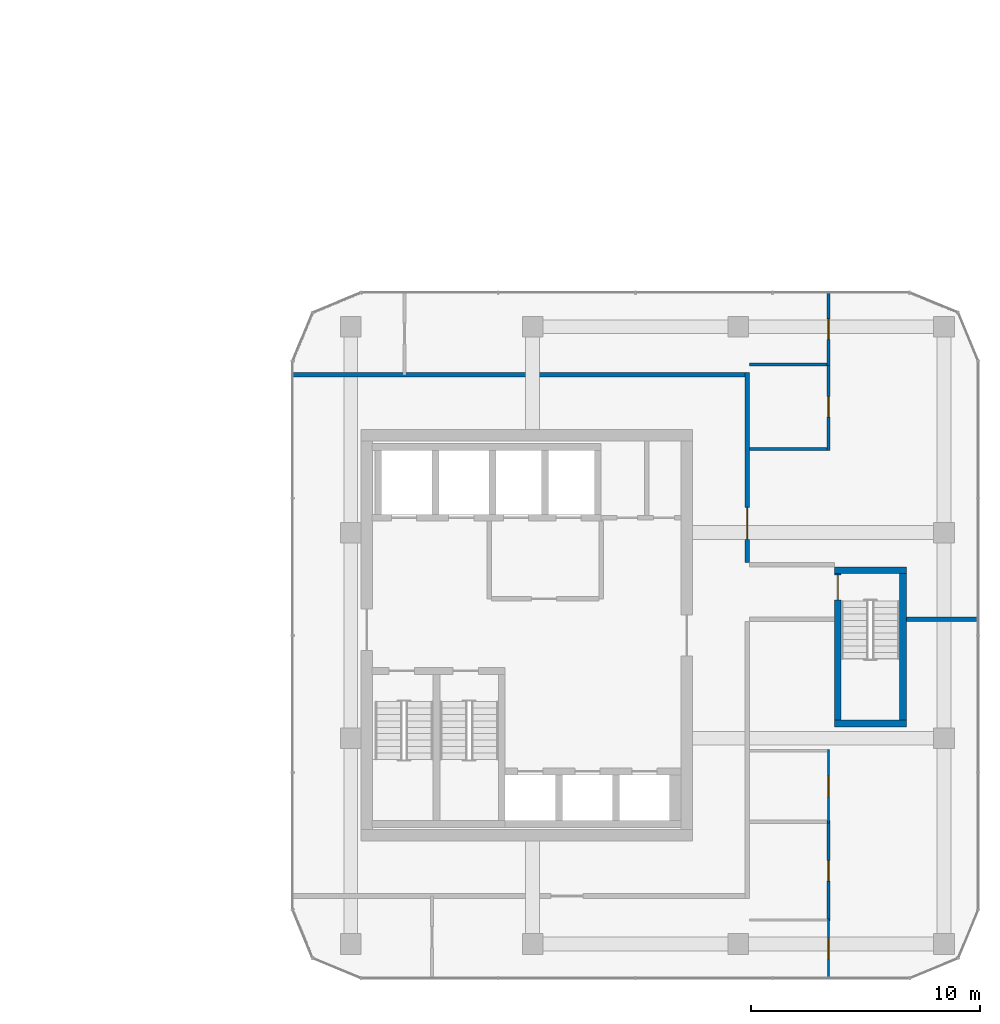
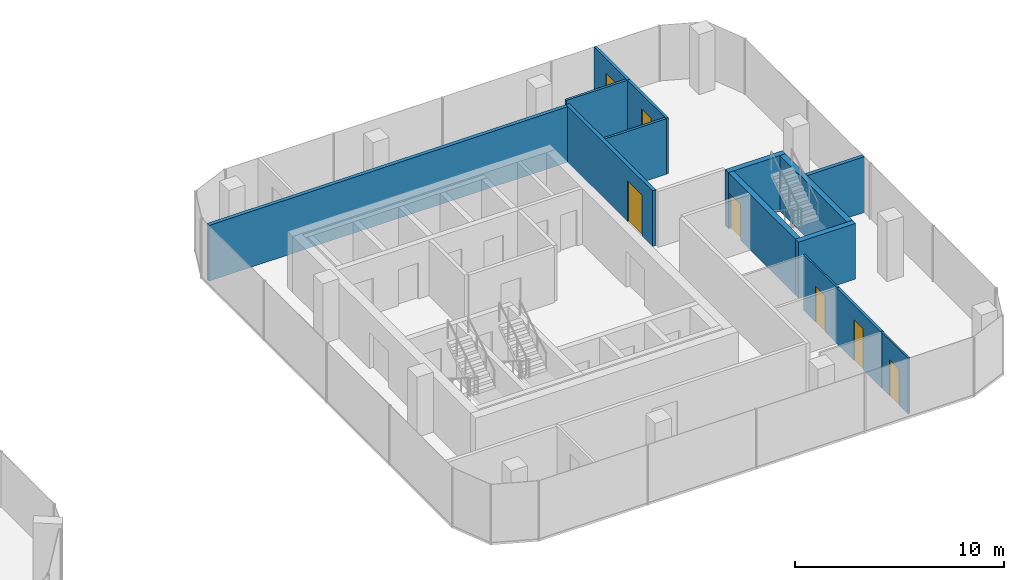
# One storey, part 18 of 22: 14 walls, 7 doors, 7 openings.
"""IFC4 building model written with IfcOpenShell, lengths in metres."""

from ifc_helpers import new_model, si_unit, direction, frame, frame_2d, origin, place, context, subcontext, project, spatial, rectangle, extrude, material, layer, layer_set, type_object, element, fill, save


model = new_model("IFC4")

# Units and contexts
model_context = context("Model", 3, precision=1e-05, world=origin(), true_north=direction((0.0, 1.0)))
body_context = subcontext(model_context, "Body", "Model", "MODEL_VIEW")
ifc_project = project(units=[si_unit("LENGTHUNIT", "METRE"), si_unit("AREAUNIT", "SQUARE_METRE"), si_unit("VOLUMEUNIT", "CUBIC_METRE"), si_unit("PLANEANGLEUNIT", "RADIAN"), si_unit("MASSUNIT", "GRAM", prefix="KILO")], contexts=[model_context])

# Site, building, storey
site_placement = place(None, origin())
site = spatial("IfcSite", under=ifc_project, at=site_placement, CompositionType="ELEMENT")
building_placement = place(site_placement, origin())
building = spatial("IfcBuilding", under=site, at=building_placement, Name="Plateau Cross Towers", CompositionType="ELEMENT")
storey_placement = place(building_placement, frame((0.0, 0.0, 58.300048828125)))
storey = spatial("IfcBuildingStorey", under=building, at=storey_placement, Name="L14", CompositionType="ELEMENT", Elevation=58.300048828125)

# Wall, opening, door
ifc_material_1 = material(Name="Concrete C60/75", Category="concrete")
ifc_layer_1 = layer(ifc_material_1, 0.300048828125)
ifc_layer_set_1 = layer_set([ifc_layer_1], Name="Concrete C60/75")
wall_type_1 = type_object("IfcWallType", Name="Core shaft wall 300", PredefinedType="SHEAR", material=ifc_layer_set_1)
wall_1_placement = place(storey_placement, frame((95.85009765625, 5.300048828125, 0.0), z_axis=(0.0, 0.0, 1.0), x_axis=(0.0, 1.0, 0.0)))
wall_1 = element("IfcWall", 1, at=wall_1_placement, inside=storey, type_object=wall_type_1, Name="B-sb3-W@L14", PredefinedType="SHEAR", context=body_context, shape_type="SweptSolid", body=[
    extrude(rectangle(XDim=6.39990234375, YDim=0.300048828125, at=frame_2d((3.199951171875, 0.0))), origin(), (0.0, 0.0, 1.0), 3.25),
])
opening_1_placement = place(wall_1_placement, frame((5.25, 0.0, 0.0)))
opening_1 = element("IfcOpeningElement", 2, at=opening_1_placement, cuts=wall_1, Name="Opening SD", PredefinedType="OPENING", context=body_context, shape_type="SweptSolid", body=[
    extrude(rectangle(XDim=1.10009765625, YDim=2.10009765625, at=frame_2d((0.550048828125, 1.050048828125))), frame((0.0, 0.159912109375, 0.0), z_axis=(0.0, -1.0, 0.0), x_axis=(1.0, 0.0, 0.0)), (0.0, 0.0, 1.0), 0.320068359375),
])
ifc_material_2 = material(Name="Steel, fire-resisting leaf", Category="steel")
door_type_1 = type_object("IfcDoorType", Name="Stair door 1100", OperationType="NOTDEFINED", PredefinedType="DOOR", material=ifc_material_2)
door_1_placement = place(opening_1_placement, origin())
door_1 = element("IfcDoor", 3, at=door_1_placement, inside=storey, type_object=door_type_1, Name="Stair door SD", OperationType="SINGLE_SWING_LEFT", OverallHeight=2.10009765625, OverallWidth=1.10009765625, PredefinedType="DOOR", context=body_context, shape_type="SweptSolid", body=[
    extrude(rectangle(XDim=1.10009765625, YDim=2.10009765625, at=frame_2d((0.550048828125, 1.050048828125))), frame((0.0, 0.02490234375, 0.0), z_axis=(0.0, -1.0, 0.0), x_axis=(1.0, 0.0, 0.0)), (0.0, 0.0, 1.0), 0.050048828125),
])
fill(opening_1, door_1)

# Walls
wall_2_placement = place(storey_placement, frame((98.699951171875, 5.300048828125, 0.0), z_axis=(0.0, 0.0, 1.0), x_axis=(0.0, 1.0, 0.0)))
element("IfcWall", 4, at=wall_2_placement, inside=storey, type_object=wall_type_1, Name="B-sb3-E@L14", PredefinedType="SHEAR", context=body_context, shape_type="SweptSolid", body=[
    extrude(rectangle(XDim=6.39990234375, YDim=0.300048828125, at=frame_2d((3.199951171875, 0.0))), origin(), (0.0, 0.0, 1.0), 3.25),
])
for number, where, z_axis, x_axis, name in (
    (5, (95.699951171875, 5.14990234375, 0.0), (0.0, 0.0, 1.0), (1.0, 0.0, 0.0), "B-sb3-S@L14"),
    (6, (95.699951171875, 11.85009765625, 0.0), (0.0, 0.0, 1.0), (1.0, 0.0, 0.0), "B-sb3-N@L14"),
):
    element("IfcWall", number, at=place(storey_placement, frame(where, z_axis=z_axis, x_axis=x_axis)), inside=storey, type_object=wall_type_1, Name=name, PredefinedType="SHEAR", context=body_context, shape_type="SweptSolid", body=[
        extrude(rectangle(XDim=3.150146484375, YDim=0.300048828125, at=frame_2d((1.5751953125, 0.0))), origin(), (0.0, 0.0, 1.0), 3.25),
    ])
ifc_material_3 = material(Name="Gypsum board on steel studs, two layers each side", Category="steel")
ifc_layer_2 = layer(ifc_material_3, 0.199951171875)
ifc_layer_set_2 = layer_set([ifc_layer_2], Name="Gypsum board on steel studs, two layers each side")
wall_type_2 = type_object("IfcWallType", Name="Corridor wall 200", PredefinedType="PARTITIONING", material=ifc_layer_set_2)
wall_3_placement = place(storey_placement, frame((72.0, 20.39990234375, 0.0), z_axis=(0.0, 0.0, 1.0), x_axis=(1.0, 0.0, 0.0)))
element("IfcWall", 7, at=wall_3_placement, inside=storey, type_object=wall_type_2, Name="Ring wall", PredefinedType="PARTITIONING", context=body_context, shape_type="SweptSolid", body=[
    extrude(rectangle(XDim=20.0, YDim=0.199951171875, at=frame_2d((10.0, 0.0))), origin(), (0.0, 0.0, 1.0), 3.25),
])

# Wall, opening, door
wall_4_placement = place(storey_placement, frame((91.89990234375, 12.199951171875, 0.0), z_axis=(0.0, 0.0, 1.0), x_axis=(0.0, 1.0, 0.0)))
wall_4 = element("IfcWall", 8, at=wall_4_placement, inside=storey, type_object=wall_type_2, Name="Ring wall", PredefinedType="PARTITIONING", context=body_context, shape_type="SweptSolid", body=[
    extrude(rectangle(XDim=8.300048828125, YDim=0.199951171875, at=frame_2d((4.14990234375, 0.0))), origin(), (0.0, 0.0, 1.0), 3.25),
])
opening_2_placement = place(wall_4_placement, frame((1.0, 0.0, 0.0)))
opening_2 = element("IfcOpeningElement", 9, at=opening_2_placement, cuts=wall_4, Name="Opening D-BE14", PredefinedType="OPENING", context=body_context, shape_type="SweptSolid", body=[
    extrude(rectangle(XDim=1.39990234375, YDim=2.39990234375, at=frame_2d((0.699951171875, 1.199951171875))), frame((0.0, 0.10986328125, 0.0), z_axis=(0.0, -1.0, 0.0), x_axis=(1.0, 0.0, 0.0)), (0.0, 0.0, 1.0), 0.219970703125),
])
ifc_material_4 = material(Name="Timber, fire-resisting leaves", Category="wood")
door_type_2 = type_object("IfcDoorType", Name="Tenant entrance double-leaf 1400x2400", OperationType="NOTDEFINED", PredefinedType="DOOR", material=ifc_material_4)
door_2_placement = place(opening_2_placement, origin())
door_2 = element("IfcDoor", 10, at=door_2_placement, inside=storey, type_object=door_type_2, Name="Door D-BE14", OperationType="DOUBLE_DOOR_SINGLE_SWING", OverallHeight=2.39990234375, OverallWidth=1.39990234375, PredefinedType="DOOR", context=body_context, shape_type="SweptSolid", body=[
    extrude(rectangle(XDim=1.39990234375, YDim=2.39990234375, at=frame_2d((0.699951171875, 1.199951171875))), frame((0.0, 0.02490234375, 0.0), z_axis=(0.0, -1.0, 0.0), x_axis=(1.0, 0.0, 0.0)), (0.0, 0.0, 1.0), 0.050048828125),
])
fill(opening_2, door_2)

ifc_material_5 = material(Name="Gypsum board on staggered steel studs, mineral wool, two layers each side", Category="steel")
ifc_layer_3 = layer(ifc_material_5, 0.139892578125)
ifc_layer_set_3 = layer_set([ifc_layer_3], Name="Gypsum board on staggered steel studs, mineral wool, two layers each side")
wall_type_3 = type_object("IfcWallType", Name="Meeting room acoustic partition 140", PredefinedType="PARTITIONING", material=ifc_layer_set_3)
wall_5_placement = place(storey_placement, frame((95.449951171875, -3.5, 0.0), z_axis=(0.0, 0.0, 1.0), x_axis=(0.0, 1.0, 0.0)))
wall_5 = element("IfcWall", 11, at=wall_5_placement, inside=storey, type_object=wall_type_3, Name="Acoustic wall", PredefinedType="PARTITIONING", context=body_context, shape_type="SweptSolid", body=[
    extrude(rectangle(XDim=4.39990234375, YDim=0.139892578125, at=frame_2d((2.199951171875, 0.0))), origin(), (0.0, 0.0, 1.0), 3.25),
])
opening_3_placement = place(wall_5_placement, frame((1.75, 0.0, 0.0)))
opening_3 = element("IfcOpeningElement", 12, at=opening_3_placement, cuts=wall_5, Name="Opening D-BM9", PredefinedType="OPENING", context=body_context, shape_type="SweptSolid", body=[
    extrude(rectangle(XDim=0.89990234375, YDim=2.39990234375, at=frame_2d((0.449951171875, 1.199951171875))), frame((0.0, 0.079833984375, 0.0), z_axis=(0.0, -1.0, 0.0), x_axis=(1.0, 0.0, 0.0)), (0.0, 0.0, 1.0), 0.159912109375),
])
ifc_material_6 = material(Name="Timber leaf, full height", Category="wood")
door_type_3 = type_object("IfcDoorType", Name="Meeting room door 900x2400", OperationType="NOTDEFINED", PredefinedType="DOOR", material=ifc_material_6)
door_3_placement = place(opening_3_placement, origin())
door_3 = element("IfcDoor", 13, at=door_3_placement, inside=storey, type_object=door_type_3, Name="Door D-BM9", OperationType="SINGLE_SWING_LEFT", OverallHeight=2.39990234375, OverallWidth=0.89990234375, PredefinedType="DOOR", context=body_context, shape_type="SweptSolid", body=[
    extrude(rectangle(XDim=0.89990234375, YDim=2.39990234375, at=frame_2d((0.449951171875, 1.199951171875))), frame((0.0, 0.02490234375, 0.0), z_axis=(0.0, -1.0, 0.0), x_axis=(1.0, 0.0, 0.0)), (0.0, 0.0, 1.0), 0.050048828125),
])
fill(opening_3, door_3)

wall_6_placement = place(storey_placement, frame((95.449951171875, 20.800048828125, 0.0), z_axis=(0.0, 0.0, 1.0), x_axis=(0.0, 1.0, 0.0)))
wall_6 = element("IfcWall", 14, at=wall_6_placement, inside=storey, type_object=wall_type_3, Name="Acoustic wall", PredefinedType="PARTITIONING", context=body_context, shape_type="SweptSolid", body=[
    extrude(rectangle(XDim=3.199951171875, YDim=0.139892578125, at=frame_2d((1.60009765625, 0.0))), origin(), (0.0, 0.0, 1.0), 3.25),
])
opening_4_placement = place(wall_6_placement, frame((1.14990234375, 0.0, 0.0)))
opening_4 = element("IfcOpeningElement", 15, at=opening_4_placement, cuts=wall_6, Name="Opening D-BM9", PredefinedType="OPENING", context=body_context, shape_type="SweptSolid", body=[
    extrude(rectangle(XDim=0.89990234375, YDim=2.39990234375, at=frame_2d((0.449951171875, 1.199951171875))), frame((0.0, 0.079833984375, 0.0), z_axis=(0.0, -1.0, 0.0), x_axis=(1.0, 0.0, 0.0)), (0.0, 0.0, 1.0), 0.159912109375),
])
door_4_placement = place(opening_4_placement, origin())
door_4 = element("IfcDoor", 16, at=door_4_placement, inside=storey, type_object=door_type_3, Name="Door D-BM9", OperationType="SINGLE_SWING_LEFT", OverallHeight=2.39990234375, OverallWidth=0.89990234375, PredefinedType="DOOR", context=body_context, shape_type="SweptSolid", body=[
    extrude(rectangle(XDim=0.89990234375, YDim=2.39990234375, at=frame_2d((0.449951171875, 1.199951171875))), frame((0.0, 0.02490234375, 0.0), z_axis=(0.0, -1.0, 0.0), x_axis=(1.0, 0.0, 0.0)), (0.0, 0.0, 1.0), 0.050048828125),
])
fill(opening_4, door_4)

# Wall
wall_7_placement = place(storey_placement, frame((92.0, 20.85009765625, 0.0), z_axis=(0.0, 0.0, 1.0), x_axis=(1.0, 0.0, 0.0)))
element("IfcWall", 17, at=wall_7_placement, inside=storey, type_object=wall_type_3, Name="Acoustic wall", PredefinedType="PARTITIONING", context=body_context, shape_type="SweptSolid", body=[
    extrude(rectangle(XDim=3.3798828125, YDim=0.139892578125, at=frame_2d((1.68994140625, 0.0))), origin(), (0.0, 0.0, 1.0), 3.25),
])

# Wall, opening, door
wall_8_placement = place(storey_placement, frame((95.449951171875, 17.10009765625, 0.0), z_axis=(0.0, 0.0, 1.0), x_axis=(0.0, 1.0, 0.0)))
wall_8 = element("IfcWall", 18, at=wall_8_placement, inside=storey, type_object=wall_type_3, Name="Acoustic wall", PredefinedType="PARTITIONING", context=body_context, shape_type="SweptSolid", body=[
    extrude(rectangle(XDim=3.7998046875, YDim=0.139892578125, at=frame_2d((1.89990234375, 0.0))), origin(), (0.0, 0.0, 1.0), 3.25),
])
opening_5_placement = place(wall_8_placement, frame((1.449951171875, 0.0, 0.0)))
opening_5 = element("IfcOpeningElement", 19, at=opening_5_placement, cuts=wall_8, Name="Opening D-BM9", PredefinedType="OPENING", context=body_context, shape_type="SweptSolid", body=[
    extrude(rectangle(XDim=0.89990234375, YDim=2.39990234375, at=frame_2d((0.449951171875, 1.199951171875))), frame((0.0, 0.079833984375, 0.0), z_axis=(0.0, -1.0, 0.0), x_axis=(1.0, 0.0, 0.0)), (0.0, 0.0, 1.0), 0.159912109375),
])
door_5_placement = place(opening_5_placement, origin())
door_5 = element("IfcDoor", 20, at=door_5_placement, inside=storey, type_object=door_type_3, Name="Door D-BM9", OperationType="SINGLE_SWING_LEFT", OverallHeight=2.39990234375, OverallWidth=0.89990234375, PredefinedType="DOOR", context=body_context, shape_type="SweptSolid", body=[
    extrude(rectangle(XDim=0.89990234375, YDim=2.39990234375, at=frame_2d((0.449951171875, 1.199951171875))), frame((0.0, 0.02490234375, 0.0), z_axis=(0.0, -1.0, 0.0), x_axis=(1.0, 0.0, 0.0)), (0.0, 0.0, 1.0), 0.050048828125),
])
fill(opening_5, door_5)

# Wall
wall_9_placement = place(storey_placement, frame((92.0, 17.14990234375, 0.0), z_axis=(0.0, 0.0, 1.0), x_axis=(1.0, 0.0, 0.0)))
element("IfcWall", 21, at=wall_9_placement, inside=storey, type_object=wall_type_3, Name="Acoustic wall", PredefinedType="PARTITIONING", context=body_context, shape_type="SweptSolid", body=[
    extrude(rectangle(XDim=3.3798828125, YDim=0.139892578125, at=frame_2d((1.68994140625, 0.0))), origin(), (0.0, 0.0, 1.0), 3.25),
])

# Wall, opening, door
ifc_material_7 = material(Name="Gypsum board on steel studs", Category="steel")
ifc_layer_4 = layer(ifc_material_7, 0.10009765625)
ifc_layer_set_4 = layer_set([ifc_layer_4], Name="Gypsum board on steel studs")
wall_type_4 = type_object("IfcWallType", Name="Office partition 100", PredefinedType="PARTITIONING", material=ifc_layer_set_4)
wall_10_placement = place(storey_placement, frame((95.449951171875, -6.0, 0.0), z_axis=(0.0, 0.0, 1.0), x_axis=(0.0, 1.0, 0.0)))
wall_10 = element("IfcWall", 22, at=wall_10_placement, inside=storey, type_object=wall_type_4, Name="Part wall", PredefinedType="PARTITIONING", context=body_context, shape_type="SweptSolid", body=[
    extrude(rectangle(XDim=2.60009765625, YDim=0.10009765625, at=frame_2d((1.300048828125, 0.0))), origin(), (0.0, 0.0, 1.0), 3.25),
])
opening_6_placement = place(wall_10_placement, frame((0.85009765625, 0.0, 0.0)))
opening_6 = element("IfcOpeningElement", 23, at=opening_6_placement, cuts=wall_10, Name="Opening D-BR9", PredefinedType="OPENING", context=body_context, shape_type="SweptSolid", body=[
    extrude(rectangle(XDim=0.89990234375, YDim=2.10009765625, at=frame_2d((0.449951171875, 1.050048828125))), frame((0.0, 0.06005859375, 0.0), z_axis=(0.0, -1.0, 0.0), x_axis=(1.0, 0.0, 0.0)), (0.0, 0.0, 1.0), 0.1201171875),
])
ifc_material_8 = material(Name="Timber leaf", Category="wood")
door_type_4 = type_object("IfcDoorType", Name="Office room door 900", OperationType="NOTDEFINED", PredefinedType="DOOR", material=ifc_material_8)
door_6_placement = place(opening_6_placement, origin())
door_6 = element("IfcDoor", 24, at=door_6_placement, inside=storey, type_object=door_type_4, Name="Door D-BR9", OperationType="SINGLE_SWING_LEFT", OverallHeight=2.10009765625, OverallWidth=0.89990234375, PredefinedType="DOOR", context=body_context, shape_type="SweptSolid", body=[
    extrude(rectangle(XDim=0.89990234375, YDim=2.10009765625, at=frame_2d((0.449951171875, 1.050048828125))), frame((0.0, 0.02490234375, 0.0), z_axis=(0.0, -1.0, 0.0), x_axis=(1.0, 0.0, 0.0)), (0.0, 0.0, 1.0), 0.050048828125),
])
fill(opening_6, door_6)

wall_11_placement = place(storey_placement, frame((95.449951171875, 0.800048828125, 0.0), z_axis=(0.0, 0.0, 1.0), x_axis=(0.0, 1.0, 0.0)))
wall_11 = element("IfcWall", 25, at=wall_11_placement, inside=storey, type_object=wall_type_4, Name="Part wall", PredefinedType="PARTITIONING", context=body_context, shape_type="SweptSolid", body=[
    extrude(rectangle(XDim=3.199951171875, YDim=0.10009765625, at=frame_2d((1.60009765625, 0.0))), origin(), (0.0, 0.0, 1.0), 3.25),
])
opening_7_placement = place(wall_11_placement, frame((1.14990234375, 0.0, 0.0)))
opening_7 = element("IfcOpeningElement", 26, at=opening_7_placement, cuts=wall_11, Name="Opening D-BR9", PredefinedType="OPENING", context=body_context, shape_type="SweptSolid", body=[
    extrude(rectangle(XDim=0.89990234375, YDim=2.10009765625, at=frame_2d((0.449951171875, 1.050048828125))), frame((0.0, 0.06005859375, 0.0), z_axis=(0.0, -1.0, 0.0), x_axis=(1.0, 0.0, 0.0)), (0.0, 0.0, 1.0), 0.1201171875),
])
door_7_placement = place(opening_7_placement, origin())
door_7 = element("IfcDoor", 27, at=door_7_placement, inside=storey, type_object=door_type_4, Name="Door D-BR9", OperationType="SINGLE_SWING_LEFT", OverallHeight=2.10009765625, OverallWidth=0.89990234375, PredefinedType="DOOR", context=body_context, shape_type="SweptSolid", body=[
    extrude(rectangle(XDim=0.89990234375, YDim=2.10009765625, at=frame_2d((0.449951171875, 1.050048828125))), frame((0.0, 0.02490234375, 0.0), z_axis=(0.0, -1.0, 0.0), x_axis=(1.0, 0.0, 0.0)), (0.0, 0.0, 1.0), 0.050048828125),
])
fill(opening_7, door_7)

# Wall
ifc_layer_5 = layer(ifc_material_3, 0.199951171875)
ifc_layer_set_5 = layer_set([ifc_layer_5], Name="Gypsum board on steel studs, two layers each side")
wall_type_5 = type_object("IfcWallType", Name="Tenancy demising wall 200", PredefinedType="PARTITIONING", material=ifc_layer_set_5)
wall_12_placement = place(storey_placement, frame((98.85009765625, 9.699951171875, 0.0), z_axis=(0.0, 0.0, 1.0), x_axis=(1.0, 0.0, 0.0)))
element("IfcWall", 28, at=wall_12_placement, inside=storey, type_object=wall_type_5, Name="Demising wall", PredefinedType="PARTITIONING", context=body_context, shape_type="SweptSolid", body=[
    extrude(rectangle(XDim=3.14990234375, YDim=0.199951171875, at=frame_2d((1.574951171875, 0.0))), origin(), (0.0, 0.0, 1.0), 3.25),
])

save(model, "model.ifc")
